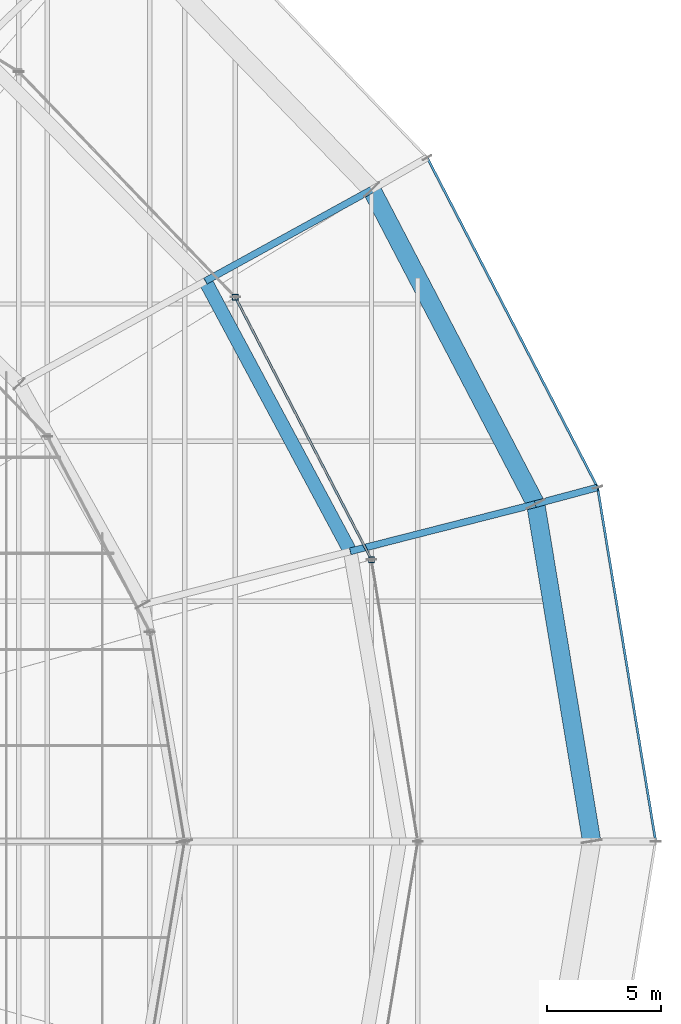
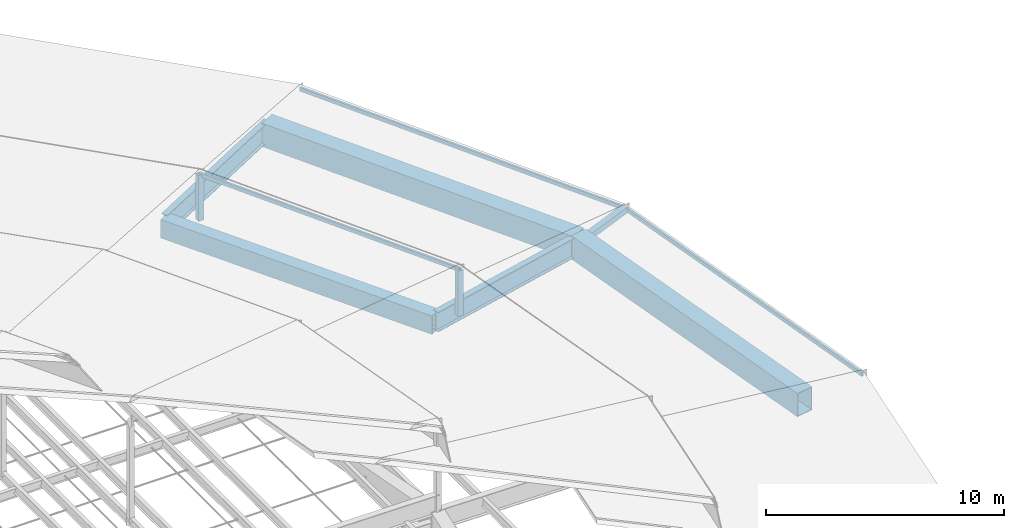
# One storey, part 133 of 184: 6 members, 5 beams.
"""IFC4 building model written with IfcOpenShell, lengths in metres."""

from ifc_helpers import new_model, si_unit, direction, frame, origin, origin_2d, place, context, subcontext, project, spatial, hollow_rectangle, i_section, extrude, material, material_profile, profile_set, type_object, element, save


model = new_model("IFC4")

# Units and contexts
model_context = context("Model", 3, precision=1e-05, world=origin(), true_north=direction((0.0, 1.0)))
body_context = subcontext(model_context, "Body", "Model", "MODEL_VIEW")
ifc_project = project(units=[si_unit("LENGTHUNIT", "METRE"), si_unit("AREAUNIT", "SQUARE_METRE"), si_unit("VOLUMEUNIT", "CUBIC_METRE"), si_unit("PLANEANGLEUNIT", "RADIAN"), si_unit("MASSUNIT", "GRAM", prefix="KILO")], contexts=[model_context])

# Site, building, storey
site_placement = place(None, origin())
site = spatial("IfcSite", under=ifc_project, at=site_placement, CompositionType="ELEMENT")
building_placement = place(site_placement, origin())
building = spatial("IfcBuilding", under=site, at=building_placement, Name="Kalgoora Escarpment Arena", CompositionType="ELEMENT")
storey_placement = place(building_placement, frame((0.0, 0.0, 27.60009765625)))
storey = spatial("IfcBuildingStorey", under=building, at=storey_placement, Name="Roof Level", CompositionType="ELEMENT", Elevation=27.60009765625)

# Beams
ifc_material_1 = material(Name="Structural steel Grade 350 (350 MPa)", Category="steel")
ifc_material_profile_1 = material_profile(ifc_material_1, hollow_rectangle(XDim=0.800048828125, YDim=1.199951171875, WallThickness=0.031982421875, at=origin_2d()))
ifc_profile_set_1 = profile_set([ifc_material_profile_1], Name="Structural steel Grade 350 (350 MPa)")
beam_type_1 = type_object("IfcBeamType", Name="BM-RING-BOX1200", PredefinedType="USERDEFINED", material=ifc_profile_set_1)
beam_1_placement = place(storey_placement, frame((164.199951171875, 64.0, -1.4501953125), z_axis=(-0.163602052226, 0.986526415514, 0.0), x_axis=(-0.986526415514, -0.163602052226, 0.0)))
element("IfcBeam", 1, at=beam_1_placement, inside=storey, type_object=beam_type_1, Name="Outer perimeter compression RING BEAM chord 01", ObjectType="GIRDER", PredefinedType="USERDEFINED", context=body_context, shape_type="SweptSolid", body=[
    extrude(hollow_rectangle(XDim=0.800048828125, YDim=1.199951171875, WallThickness=0.031982421875, at=origin_2d()), origin(), (0.0, 0.0, 1.0), 14.9541015625),
])
beam_2_placement = place(storey_placement, frame((161.75341796875, 78.752685546875, -1.4501953125), z_axis=(-0.462583225327, 0.886575862319, 0.0), x_axis=(-0.886575862319, -0.462583225327, 0.0)))
element("IfcBeam", 2, at=beam_2_placement, inside=storey, type_object=beam_type_1, Name="Outer perimeter compression RING BEAM chord 02", ObjectType="GIRDER", PredefinedType="USERDEFINED", context=body_context, shape_type="SweptSolid", body=[
    extrude(hollow_rectangle(XDim=0.800048828125, YDim=1.199951171875, WallThickness=0.031982421875, at=origin_2d()), origin(), (0.0, 0.0, 1.0), 15.506103515625),
])
ifc_material_2 = material(Name="Structural steel Grade 350 (350 MPa)", Category="steel")
ifc_material_profile_2 = material_profile(ifc_material_2, hollow_rectangle(XDim=0.60009765625, YDim=0.949951171875, WallThickness=0.02490234375, at=origin_2d()))
ifc_profile_set_2 = profile_set([ifc_material_profile_2], Name="Structural steel Grade 350 (350 MPa)")
beam_type_2 = type_object("IfcBeamType", Name="BM-RING-BOX950", PredefinedType="USERDEFINED", material=ifc_profile_set_2)
beam_3_placement = place(storey_placement, frame((153.6396484375, 76.68212890625, -1.35009765625), z_axis=(-0.472380065023, 0.881394959237, 0.0), x_axis=(-0.881394959237, -0.472380065023, 0.0)))
element("IfcBeam", 3, at=beam_3_placement, inside=storey, type_object=beam_type_2, Name="Concourse roof RING BEAM chord 02", ObjectType="GIRDER", PredefinedType="USERDEFINED", context=body_context, shape_type="SweptSolid", body=[
    extrude(hollow_rectangle(XDim=0.60009765625, YDim=0.949951171875, WallThickness=0.02490234375, at=origin_2d()), origin(), (0.0, 0.0, 1.0), 13.408203125),
])
ifc_material_3 = material(Name="Structural steel Grade 350 (350 MPa)", Category="steel")
ifc_material_profile_3 = material_profile(ifc_material_3, i_section(OverallWidth=0.300048828125, OverallDepth=1.010009765625, WebThickness=0.01611328125, FlangeThickness=0.030029296875, at=origin_2d()))
ifc_profile_set_3 = profile_set([ifc_material_profile_3], Name="Structural steel Grade 350 (350 MPa)")
beam_type_3 = type_object("IfcBeamType", Name="BM-TRUSS-CHORD", PredefinedType="USERDEFINED", material=ifc_profile_set_3)
beam_4_placement = place(storey_placement, frame((161.75341796875, 78.752685546875, -1.400146484375), z_axis=(-0.968878370678, -0.247248524455, 0.011952823373), x_axis=(0.247266188544, -0.968947589915, 0.0)))
element("IfcBeam", 4, at=beam_4_placement, inside=storey, type_object=beam_type_3, Name="Outer radial petal support girder R02", ObjectType="GIRDER", PredefinedType="USERDEFINED", context=body_context, shape_type="SweptSolid", body=[
    extrude(i_section(OverallWidth=0.300048828125, OverallDepth=1.010009765625, WebThickness=0.01611328125, FlangeThickness=0.030029296875, at=origin_2d()), origin(), (0.0, 0.0, 1.0), 8.37451171875),
])
beam_5_placement = place(storey_placement, frame((154.58056640625, 92.5, -1.400146484375), z_axis=(-0.876206233103, -0.481785512741, 0.01205640016), x_axis=(0.481820531956, -0.876269921306, 0.0)))
element("IfcBeam", 5, at=beam_5_placement, inside=storey, type_object=beam_type_3, Name="Outer radial petal support girder R03", ObjectType="GIRDER", PredefinedType="USERDEFINED", context=body_context, shape_type="SweptSolid", body=[
    extrude(i_section(OverallWidth=0.300048828125, OverallDepth=1.010009765625, WebThickness=0.01611328125, FlangeThickness=0.030029296875, at=origin_2d()), origin(), (0.0, 0.0, 1.0), 8.302490234375),
])

# Members
ifc_material_4 = material(Name="Structural steel C450 (450 MPa)", Category="steel")
ifc_material_profile_4 = material_profile(ifc_material_4, hollow_rectangle(XDim=0.25, YDim=0.25, WallThickness=0.012451171875, at=origin_2d()))
ifc_profile_set_4 = profile_set([ifc_material_profile_4], Name="Structural steel C450 (450 MPa)")
member_type_1 = type_object("IfcMemberType", Name="MEM-PETAL-POST", PredefinedType="POST", material=ifc_profile_set_4)
for number, where, z_axis, x_axis, name in (
    (6, (154.569091796875, 76.31982421875, -1.080078125), (0.0, 0.0, 1.0), (1.0, 0.0, 0.0), "Petal RP2 vertical support post S02"),
    (7, (148.614990234375, 87.800048828125, -1.080078125), (0.0, 0.0, 1.0), (1.0, 0.0, 0.0), "Petal RP2 vertical support post S03"),
):
    element("IfcMember", number, at=place(storey_placement, frame(where, z_axis=z_axis, x_axis=x_axis)), inside=storey, type_object=member_type_1, Name=name, PredefinedType="POST", context=body_context, shape_type="SweptSolid", body=[
        extrude(hollow_rectangle(XDim=0.25, YDim=0.25, WallThickness=0.012451171875, at=origin_2d()), origin(), (0.0, 0.0, 1.0), 2.344970703125),
    ])
ifc_material_5 = material(Name="Structural steel C350 (350 MPa)", Category="steel")
ifc_material_profile_5 = material_profile(ifc_material_5, hollow_rectangle(XDim=0.10009765625, YDim=0.199951171875, WallThickness=0.009033203125, at=origin_2d()))
ifc_profile_set_5 = profile_set([ifc_material_profile_5], Name="Structural steel C350 (350 MPa)")
member_type_2 = type_object("IfcMemberType", Name="MEM-PURLIN-RHS", PredefinedType="PURLIN", material=ifc_profile_set_5)
member_1_placement = place(storey_placement, frame((167.0, 64.0, -1.02001953125), z_axis=(-0.162068741154, 0.986779470368, 0.0), x_axis=(-0.986779470368, -0.162068741154, 0.0)))
element("IfcMember", 8, at=member_1_placement, inside=storey, type_object=member_type_2, Name="Petal RP1 eave support ring purlin S01", PredefinedType="PURLIN", context=body_context, shape_type="SweptSolid", body=[
    extrude(hollow_rectangle(XDim=0.10009765625, YDim=0.199951171875, WallThickness=0.009033203125, at=origin_2d()), origin(), (0.0, 0.0, 1.0), 15.6845703125),
])
member_2_placement = place(storey_placement, frame((164.4580078125, 79.477294921875, -1.02001953125), z_axis=(-0.459054672397, 0.888408018734, 0.0), x_axis=(-0.888408018734, -0.459054672397, 0.0)))
element("IfcMember", 9, at=member_2_placement, inside=storey, type_object=member_type_2, Name="Petal RP1 eave support ring purlin S02", PredefinedType="PURLIN", context=body_context, shape_type="SweptSolid", body=[
    extrude(hollow_rectangle(XDim=0.10009765625, YDim=0.199951171875, WallThickness=0.009033203125, at=origin_2d()), origin(), (0.0, 0.0, 1.0), 16.234130859375),
])
member_3_placement = place(storey_placement, frame((154.569091796875, 76.31982421875, 1.244873046875), z_axis=(-0.460402022501, 0.887710525834, 0.0), x_axis=(-0.887710525834, -0.460402022501, 0.0)))
element("IfcMember", 10, at=member_3_placement, inside=storey, type_object=member_type_2, Name="Petal RP2 eave support ring purlin S02", PredefinedType="PURLIN", context=body_context, shape_type="SweptSolid", body=[
    extrude(hollow_rectangle(XDim=0.10009765625, YDim=0.199951171875, WallThickness=0.009033203125, at=origin_2d()), origin(), (0.0, 0.0, 1.0), 12.932373046875),
])
ifc_material_6 = material(Name="Structural steel C450 (450 MPa)", Category="steel")
ifc_material_profile_6 = material_profile(ifc_material_6, hollow_rectangle(XDim=0.300048828125, YDim=0.300048828125, WallThickness=0.012451171875, at=origin_2d()))
ifc_profile_set_6 = profile_set([ifc_material_profile_6], Name="Structural steel C450 (450 MPa)")
member_type_3 = type_object("IfcMemberType", Name="MEM-TRUSS-POST", PredefinedType="POST", material=ifc_profile_set_6)
member_4_placement = place(storey_placement, frame((161.75341796875, 78.752685546875, -1.400146484375), z_axis=(0.956217974517, 0.256188386746, 0.141473303867), x_axis=(-0.258791291131, 0.965933262516, 0.0)))
element("IfcMember", 11, at=member_4_placement, inside=storey, type_object=member_type_3, Name="Petal RP1 eave strut S02", PredefinedType="POST", context=body_context, shape_type="SweptSolid", body=[
    extrude(hollow_rectangle(XDim=0.300048828125, YDim=0.300048828125, WallThickness=0.012451171875, at=origin_2d()), origin(), (0.0, 0.0, 1.0), 2.828369140625),
])

save(model, "model.ifc")
